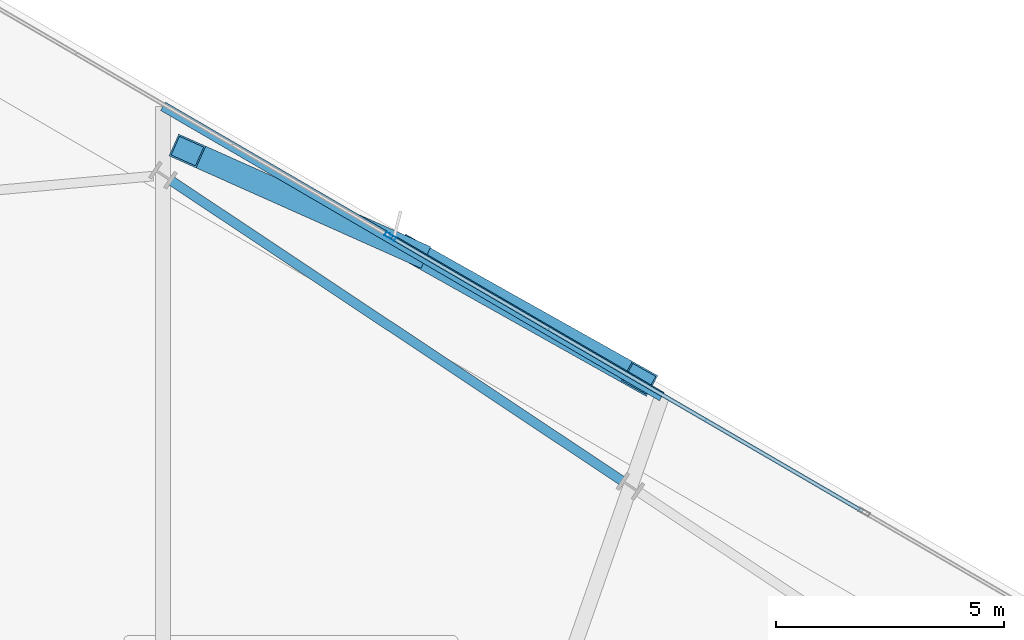
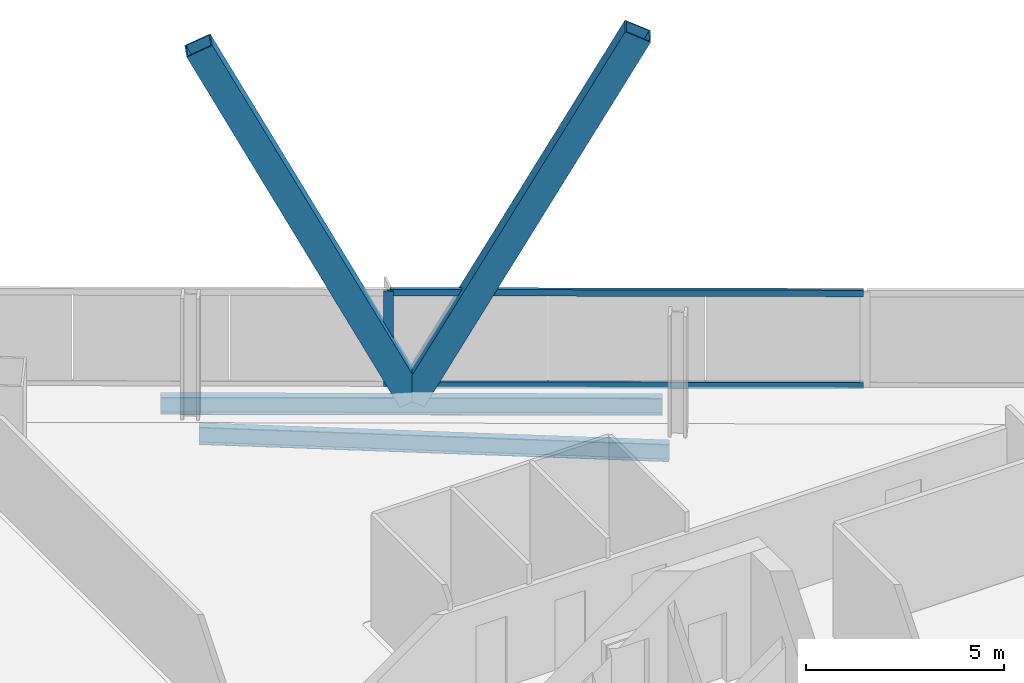
# One storey, part 19 of 29: 5 members, 2 beams, 1 element without a shape of its own.
"""IFC4 building model written with IfcOpenShell, lengths in metres."""

from ifc_helpers import new_model, si_unit, direction, frame, origin, origin_2d, place, context, subcontext, project, spatial, hollow_rectangle, i_section, extrude, material, material_profile, profile_set, type_object, element, aggregate, save


model = new_model("IFC4")

# Units and contexts
model_context = context("Model", 3, precision=1e-05, world=origin(), true_north=direction((0.0, 1.0)))
body_context = subcontext(model_context, "Body", "Model", "MODEL_VIEW")
ifc_project = project(units=[si_unit("LENGTHUNIT", "METRE"), si_unit("AREAUNIT", "SQUARE_METRE"), si_unit("VOLUMEUNIT", "CUBIC_METRE"), si_unit("PLANEANGLEUNIT", "RADIAN"), si_unit("MASSUNIT", "GRAM", prefix="KILO")], contexts=[model_context])

# Site, building, storey
site_placement = place(None, origin())
site = spatial("IfcSite", under=ifc_project, at=site_placement, CompositionType="ELEMENT")
building_placement = place(site_placement, origin())
building = spatial("IfcBuilding", under=site, at=building_placement, Name="Haldenkirk Collegiate Tower", CompositionType="ELEMENT")
storey_placement = place(building_placement, frame((0.0, 0.0, 228.449951171875)))
storey = spatial("IfcBuildingStorey", under=building, at=storey_placement, Name="L57", CompositionType="ELEMENT", Elevation=228.449951171875)

# Beams
ifc_material_1 = material(Name="Steel ASTM A992 Grade 50", Category="steel")
ifc_material_profile_1 = material_profile(ifc_material_1, i_section(OverallWidth=0.2099609375, OverallDepth=0.537109375, WebThickness=0.010986328125, FlangeThickness=0.017333984375, at=origin_2d()), Name="W21X68")
ifc_profile_set_1 = profile_set([ifc_material_profile_1], Name="Steel ASTM A992 Grade 50")
beam_type = type_object("IfcBeamType", Name="BM-SPANDREL-W21X68", PredefinedType="SPANDREL", material=ifc_profile_set_1)
beam_1_placement = place(storey_placement, frame((48.266845703125, 43.96240234375, -0.54833984375), z_axis=(-0.832429330124, 0.554131221237, 0.0), x_axis=(-0.554131221237, -0.832429330124, 0.0)))
element("IfcBeam", 1, at=beam_1_placement, inside=storey, type_object=beam_type, Name="L57 perimeter spandrel beam 07", PredefinedType="SPANDREL", context=body_context, shape_type="SweptSolid", body=[
    extrude(i_section(OverallWidth=0.2099609375, OverallDepth=0.537109375, WebThickness=0.010986328125, FlangeThickness=0.017333984375, at=origin_2d()), origin(), (0.0, 0.0, 1.0), 11.88525390625),
])
beam_2_placement = place(storey_placement, frame((49.136962890625, 45.810791015625, -0.54833984375), z_axis=(-0.864279152372, 0.503012471789, 0.0), x_axis=(-0.503012471789, -0.864279152372, 0.0)))
element("IfcBeam", 2, at=beam_2_placement, inside=storey, type_object=beam_type, Name="L57 outer facade edge beam 2", PredefinedType="SPANDREL", context=body_context, shape_type="SweptSolid", body=[
    extrude(i_section(OverallWidth=0.2099609375, OverallDepth=0.537109375, WebThickness=0.010986328125, FlangeThickness=0.017333984375, at=origin_2d()), origin(), (0.0, 0.0, 1.0), 12.6630859375),
])

# Curtain wall, members
ifc_material_2 = material(Name="Anodised architectural bronze aluminium", Category="aluminium")
curtain_wall_type = type_object("IfcCurtainWallType", Name="CW-SYS1B-CONVEX-HI", PredefinedType="USERDEFINED", material=ifc_material_2)
curtain_wall_placement = place(storey_placement, origin())
curtain_wall = element("IfcCurtainWall", 3, at=curtain_wall_placement, inside=storey, type_object=curtain_wall_type, Name="L57 Upper tower high-wind convex bronze unitised curtain wall", ObjectType="UNITISED CURTAIN WALL", PredefinedType="USERDEFINED")
ifc_material_profile_2 = material_profile(ifc_material_2, hollow_rectangle(XDim=0.0849609375, YDim=0.25, WallThickness=0.0048828125, at=origin_2d()), Name="CW-MUL-1B")
ifc_profile_set_2 = profile_set([ifc_material_profile_2], Name="Anodised architectural bronze aluminium")
member_type_1 = type_object("IfcMemberType", Name="CW-MUL-1B", PredefinedType="MULLION", material=ifc_profile_set_2)
member_1_placement = place(storey_placement, frame((43.181640625, 49.322998046875, 0.0), z_axis=(0.0, 0.0, 1.0), x_axis=(0.503020051603, 0.864274740858, 0.0)))
member_1 = element("IfcMember", 4, at=member_1_placement, type_object=member_type_1, Name="CW-1B mullion 2", PredefinedType="MULLION", context=body_context, shape_type="SweptSolid", body=[
    extrude(hollow_rectangle(XDim=0.0849609375, YDim=0.25, WallThickness=0.0048828125, at=origin_2d()), origin(), (0.0, 0.0, 1.0), 2.927978515625),
])
ifc_material_profile_3 = material_profile(ifc_material_2, hollow_rectangle(XDim=0.0849609375, YDim=0.199951171875, WallThickness=0.0048828125, at=origin_2d()), Name="CW-TRN-1B")
ifc_profile_set_3 = profile_set([ifc_material_profile_3], Name="Anodised architectural bronze aluminium")
member_type_2 = type_object("IfcMemberType", Name="CW-TRN-1B", PredefinedType="USERDEFINED", material=ifc_profile_set_3)
member_2_placement = place(storey_placement, frame((43.218505859375, 49.301513671875, 0.04248046875), z_axis=(0.86427092124, -0.503026614305, 0.0), x_axis=(0.503026614305, 0.86427092124, 0.0)))
member_2 = element("IfcMember", 5, at=member_2_placement, type_object=member_type_2, Name="CW-1B transom 2.1", ObjectType="TRANSOM", PredefinedType="USERDEFINED", context=body_context, shape_type="SweptSolid", body=[
    extrude(hollow_rectangle(XDim=0.0849609375, YDim=0.199951171875, WallThickness=0.0048828125, at=origin_2d()), origin(), (0.0, 0.0, 1.0), 11.93994140625),
])
member_3_placement = place(storey_placement, frame((43.218505859375, 49.301513671875, 2.885498046875), z_axis=(0.86427092124, -0.503026614305, 0.0), x_axis=(0.503026614305, 0.86427092124, 0.0)))
member_3 = element("IfcMember", 6, at=member_3_placement, type_object=member_type_2, Name="CW-1B transom 2.2", ObjectType="TRANSOM", PredefinedType="USERDEFINED", context=body_context, shape_type="SweptSolid", body=[
    extrude(hollow_rectangle(XDim=0.0849609375, YDim=0.199951171875, WallThickness=0.0048828125, at=origin_2d()), origin(), (0.0, 0.0, 1.0), 11.93994140625),
])
aggregate(curtain_wall, [member_1, member_2, member_3])

# Members
ifc_material_3 = material(Name="Steel ASTM A572 Grade 50", Category="steel")
ifc_material_profile_4 = material_profile(ifc_material_3, hollow_rectangle(XDim=0.52001953125, YDim=0.719970703125, WallThickness=0.035888671875, at=origin_2d()), Name="BOX720X520X36")
ifc_profile_set_4 = profile_set([ifc_material_profile_4], Name="Steel ASTM A572 Grade 50")
member_type_3 = type_object("IfcMemberType", Name="MBR-MEGABRACE-BOX720X520X36", PredefinedType="BRACE", material=ifc_profile_set_4)
member_4_placement = place(storey_placement, frame((43.664794921875, 48.99560546875, -0.2900390625), z_axis=(0.396585027671, -0.222583152299, 0.890604882167), x_axis=(0.489432642446, 0.872041104827, 0.0)))
element("IfcMember", 7, at=member_4_placement, inside=storey, type_object=member_type_3, Name="Perimeter Mega Brace Z4 L57-L59 EL", PredefinedType="BRACE", context=body_context, shape_type="SweptSolid", body=[
    extrude(hollow_rectangle(XDim=0.52001953125, YDim=0.719970703125, WallThickness=0.035888671875, at=origin_2d()), origin(), (0.0, 0.0, 1.0), 12.553466796875),
])
member_5_placement = place(storey_placement, frame((43.664794921875, 48.99560546875, -0.2900390625), z_axis=(-0.397496838208, 0.177407956278, 0.900290331317), x_axis=(-0.407562743453, -0.913177206324, 0.0)))
element("IfcMember", 8, at=member_5_placement, inside=storey, type_object=member_type_3, Name="Perimeter Mega Brace Z4 L57-L59 ER", PredefinedType="BRACE", context=body_context, shape_type="SweptSolid", body=[
    extrude(hollow_rectangle(XDim=0.52001953125, YDim=0.719970703125, WallThickness=0.035888671875, at=origin_2d()), origin(), (0.0, 0.0, 1.0), 12.41845703125),
])

save(model, "model.ifc")
